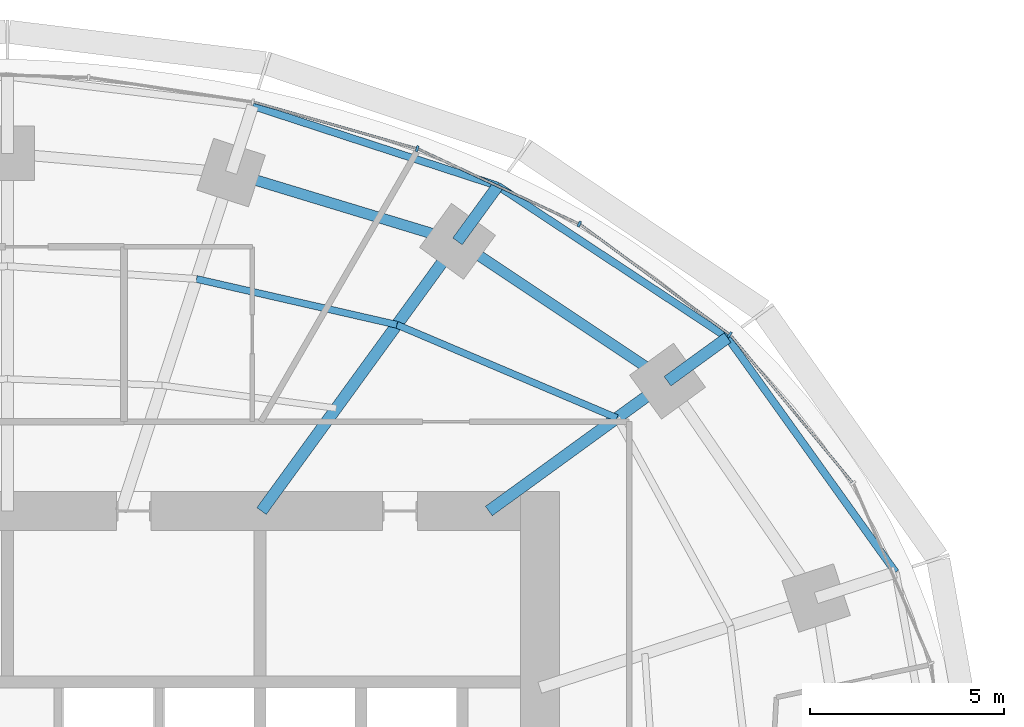
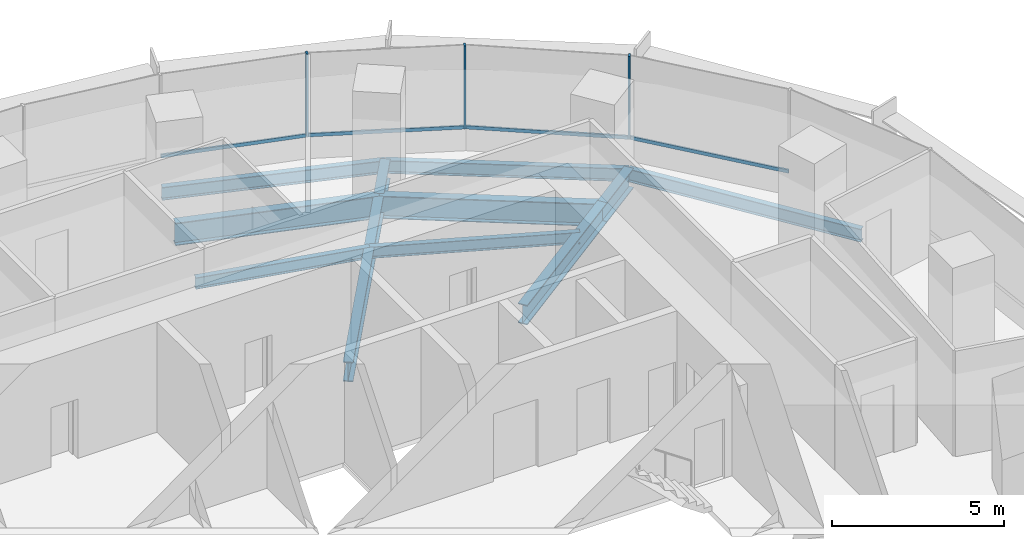
# One storey, part 8 of 14: 11 beams, 7 members, 2 elements without a shape of their own.
"""IFC4 building model written with IfcOpenShell, lengths in metres."""

from ifc_helpers import new_model, si_unit, direction, frame, origin, origin_2d, place, context, subcontext, project, spatial, rectangle, i_section, extrude, material, material_profile, profile_set, type_object, element, aggregate, save


model = new_model("IFC4")

# Units and contexts
model_context = context("Model", 3, precision=1e-05, world=origin(), true_north=direction((0.0, 1.0)))
body_context = subcontext(model_context, "Body", "Model", "MODEL_VIEW")
ifc_project = project(units=[si_unit("LENGTHUNIT", "METRE"), si_unit("AREAUNIT", "SQUARE_METRE"), si_unit("VOLUMEUNIT", "CUBIC_METRE"), si_unit("PLANEANGLEUNIT", "RADIAN"), si_unit("MASSUNIT", "GRAM", prefix="KILO")], contexts=[model_context])

# Site, building, storey
site_placement = place(None, origin())
site = spatial("IfcSite", under=ifc_project, at=site_placement, CompositionType="ELEMENT")
building_placement = place(site_placement, origin())
building = spatial("IfcBuilding", under=site, at=building_placement, Name="Marramba Exchange Tower", CompositionType="ELEMENT")
storey_placement = place(building_placement, frame((0.0, 0.0, 203.300048828125)))
storey = spatial("IfcBuildingStorey", under=building, at=storey_placement, Name="L49", CompositionType="ELEMENT", Elevation=203.300048828125)

# Beams
ifc_material_1 = material(Name="Steel AS/NZS 3679.2 grade 300", Category="steel")
ifc_material_profile_1 = material_profile(ifc_material_1, i_section(OverallWidth=0.300048828125, OverallDepth=0.699951171875, WebThickness=0.010009765625, FlangeThickness=0.031982421875, at=origin_2d()), Name="700WB173")
ifc_profile_set_1 = profile_set([ifc_material_profile_1], Name="Steel AS/NZS 3679.2 grade 300")
beam_type_1 = type_object("IfcBeamType", Name="Cantilever girder 700WB173", PredefinedType="BEAM", material=ifc_profile_set_1)
beam_1_placement = place(storey_placement, frame((16.98583984375, 12.3408203125, -0.510009765625), z_axis=(0.808962750283, 0.587859905636, 0.0), x_axis=(-0.587859905636, 0.808962750283, 0.0)))
element("IfcBeam", 1, at=beam_1_placement, inside=storey, type_object=beam_type_1, Name="Cantilever girder L49 TC03", PredefinedType="BEAM", context=body_context, shape_type="SweptSolid", body=[
    extrude(i_section(OverallWidth=0.300048828125, OverallDepth=0.699951171875, WebThickness=0.010009765625, FlangeThickness=0.031982421875, at=origin_2d()), origin(), (0.0, 0.0, 1.0), 1.9091796875),
])
beam_2_placement = place(storey_placement, frame((11.581298828125, 15.9404296875, -0.510009765625), z_axis=(0.587817766387, 0.808993370504, 0.0), x_axis=(-0.808993370504, 0.587817766387, 0.0)))
element("IfcBeam", 2, at=beam_2_placement, inside=storey, type_object=beam_type_1, Name="Cantilever girder L49 TC04", PredefinedType="BEAM", context=body_context, shape_type="SweptSolid", body=[
    extrude(i_section(OverallWidth=0.300048828125, OverallDepth=0.699951171875, WebThickness=0.010009765625, FlangeThickness=0.031982421875, at=origin_2d()), origin(), (0.0, 0.0, 1.0), 1.763916015625),
])
ifc_material_2 = material(Name="Steel AS/NZS 3679.1 grade 300", Category="steel")
ifc_material_profile_2 = material_profile(ifc_material_2, i_section(OverallWidth=0.177978515625, OverallDepth=0.406005859375, WebThickness=0.0078125, FlangeThickness=0.0126953125, FilletRadius=0.011474609375, at=origin_2d()), Name="410UB59.7")
ifc_profile_set_2 = profile_set([ifc_material_profile_2], Name="Steel AS/NZS 3679.1 grade 300")
beam_type_2 = type_object("IfcBeamType", Name="Floor joist 410UB59.7", PredefinedType="JOIST", material=ifc_profile_set_2)
beam_3_placement = place(storey_placement, frame((15.682373046875, 11.393798828125, -0.363037109375), z_axis=(-0.920674336375, 0.390331610738, 0.0), x_axis=(-0.390331610738, -0.920674336375, 0.0)))
element("IfcBeam", 3, at=beam_3_placement, inside=storey, type_object=beam_type_2, Name="Joist L49 bay 03 row 2", PredefinedType="JOIST", context=body_context, shape_type="SweptSolid", body=[
    extrude(i_section(OverallWidth=0.177978515625, OverallDepth=0.406005859375, WebThickness=0.0078125, FlangeThickness=0.0126953125, FilletRadius=0.011474609375, at=origin_2d()), origin(), (0.0, 0.0, 1.0), 6.1484375),
])
beam_4_placement = place(storey_placement, frame((10.021728515625, 13.793701171875, -0.363037109375), z_axis=(-0.974859652292, 0.222819788916, 0.0), x_axis=(-0.222819788916, -0.974859652292, 0.0)))
element("IfcBeam", 4, at=beam_4_placement, inside=storey, type_object=beam_type_2, Name="Joist L49 bay 04 row 2", PredefinedType="JOIST", context=body_context, shape_type="SweptSolid", body=[
    extrude(i_section(OverallWidth=0.177978515625, OverallDepth=0.406005859375, WebThickness=0.0078125, FlangeThickness=0.0126953125, FilletRadius=0.011474609375, at=origin_2d()), origin(), (0.0, 0.0, 1.0), 5.2900390625),
])

# Curtain wall, members
ifc_material_3 = material(Name="Aluminium framing, bronze anodised", Category="aluminium")
curtain_wall_type = type_object("IfcCurtainWallType", Name="Office ribbon curtain wall", PredefinedType="USERDEFINED", material=ifc_material_3)
curtain_wall_1_placement = place(storey_placement, origin())
curtain_wall_1 = element("IfcCurtainWall", 5, at=curtain_wall_1_placement, inside=storey, type_object=curtain_wall_type, Name="Curtain wall CW4 L49 F01-F05", ObjectType="RIBBON CURTAIN WALL", PredefinedType="USERDEFINED")
ifc_material_4 = material(Name="Aluminium mullion, bronze anodised", Category="aluminium")
ifc_material_profile_3 = material_profile(ifc_material_4, rectangle(XDim=0.159912109375, YDim=0.06005859375, at=origin_2d()), Name="CW4 mullion 60x160")
ifc_profile_set_3 = profile_set([ifc_material_profile_3], Name="Aluminium mullion, bronze anodised")
member_type_1 = type_object("IfcMemberType", Name="Office ribbon curtain wall mullion", PredefinedType="MULLION", material=ifc_profile_set_3)
member_1_placement = place(storey_placement, frame((18.587158203125, 13.53955078125, 0.800048828125), z_axis=(0.0, 0.0, 1.0), x_axis=(-0.593441317494, -0.804877259395, 0.0)))
member_1 = element("IfcMember", 6, at=member_1_placement, type_object=member_type_1, Name="CW4 mullion 1", PredefinedType="MULLION", context=body_context, shape_type="SweptSolid", body=[
    extrude(rectangle(XDim=0.159912109375, YDim=0.06005859375, at=origin_2d()), origin(), (0.0, 0.0, 1.0), 2.93994140625),
])
member_2_placement = place(storey_placement, frame((14.7158203125, 16.386474609375, 0.800048828125), z_axis=(0.0, 0.0, 1.0), x_axis=(-0.422133006189, -0.906533907301, 0.0)))
member_2 = element("IfcMember", 7, at=member_2_placement, type_object=member_type_1, Name="CW4 mullion 1", PredefinedType="MULLION", context=body_context, shape_type="SweptSolid", body=[
    extrude(rectangle(XDim=0.159912109375, YDim=0.06005859375, at=origin_2d()), origin(), (0.0, 0.0, 1.0), 2.93994140625),
])

# Curtain wall, member
curtain_wall_2_placement = place(storey_placement, origin())
curtain_wall_2 = element("IfcCurtainWall", 8, at=curtain_wall_2_placement, inside=storey, type_object=curtain_wall_type, Name="Curtain wall CW4 L49 F06-F10", ObjectType="RIBBON CURTAIN WALL", PredefinedType="USERDEFINED")
member_3_placement = place(storey_placement, frame((10.54541015625, 18.3232421875, 0.800048828125), z_axis=(0.0, 0.0, 1.0), x_axis=(-0.274248164656, -0.961658954195, 0.0)))
member_3 = element("IfcMember", 9, at=member_3_placement, type_object=member_type_1, Name="CW4 mullion 1", PredefinedType="MULLION", context=body_context, shape_type="SweptSolid", body=[
    extrude(rectangle(XDim=0.159912109375, YDim=0.06005859375, at=origin_2d()), origin(), (0.0, 0.0, 1.0), 2.93994140625),
])

# Member
ifc_material_5 = material(Name="Aluminium transom, bronze anodised", Category="aluminium")
ifc_material_profile_4 = material_profile(ifc_material_5, rectangle(XDim=0.06005859375, YDim=0.1201171875, at=origin_2d()), Name="CW4 transom 60x120")
ifc_profile_set_4 = profile_set([ifc_material_profile_4], Name="Aluminium transom, bronze anodised")
member_type_2 = type_object("IfcMemberType", Name="Office ribbon curtain wall transom", PredefinedType="USERDEFINED", material=ifc_profile_set_4)
member_4_placement = place(storey_placement, frame((21.73779296875, 9.74169921875, 0.829833984375), z_axis=(-0.637375191043, 0.770553609973, 0.0), x_axis=(-0.770553609973, -0.637375191043, 0.0)))
member_4 = element("IfcMember", 10, at=member_4_placement, type_object=member_type_2, Name="CW4 sill transom", ObjectType="TRANSOM", PredefinedType="USERDEFINED", context=body_context, shape_type="SweptSolid", body=[
    extrude(rectangle(XDim=0.06005859375, YDim=0.1201171875, at=origin_2d()), origin(), (0.0, 0.0, 1.0), 4.905517578125),
])

member_5_placement = place(storey_placement, frame((18.56298828125, 13.557373046875, 0.829833984375), z_axis=(-0.804874780157, 0.593444680039, 0.0), x_axis=(-0.593444680039, -0.804874780157, 0.0)))
member_5 = element("IfcMember", 11, at=member_5_placement, type_object=member_type_2, Name="CW4 sill transom", ObjectType="TRANSOM", PredefinedType="USERDEFINED", context=body_context, shape_type="SweptSolid", body=[
    extrude(rectangle(XDim=0.06005859375, YDim=0.1201171875, at=origin_2d()), origin(), (0.0, 0.0, 1.0), 4.745849609375),
])

member_6_placement = place(storey_placement, frame((14.688720703125, 16.399169921875, 0.829833984375), z_axis=(-0.906548348139, 0.422101992989, 0.0), x_axis=(-0.422101992989, -0.906548348139, 0.0)))
member_6 = element("IfcMember", 12, at=member_6_placement, type_object=member_type_2, Name="CW4 sill transom", ObjectType="TRANSOM", PredefinedType="USERDEFINED", context=body_context, shape_type="SweptSolid", body=[
    extrude(rectangle(XDim=0.06005859375, YDim=0.1201171875, at=origin_2d()), origin(), (0.0, 0.0, 1.0), 4.53857421875),
])

aggregate(curtain_wall_1, [member_4, member_1, member_5, member_2, member_6])

member_7_placement = place(storey_placement, frame((10.5166015625, 18.33154296875, 0.829833984375), z_axis=(-0.961661807825, 0.274238158125, 0.0), x_axis=(-0.274238158125, -0.961661807825, 0.0)))
member_7 = element("IfcMember", 13, at=member_7_placement, type_object=member_type_2, Name="CW4 sill transom", ObjectType="TRANSOM", PredefinedType="USERDEFINED", context=body_context, shape_type="SweptSolid", body=[
    extrude(rectangle(XDim=0.06005859375, YDim=0.1201171875, at=origin_2d()), origin(), (0.0, 0.0, 1.0), 4.340087890625),
])

aggregate(curtain_wall_2, [member_3, member_7])

# Beams
ifc_material_profile_5 = material_profile(ifc_material_1, i_section(OverallWidth=0.300048828125, OverallDepth=0.699951171875, WebThickness=0.010009765625, FlangeThickness=0.031982421875, at=origin_2d()), Name="700WB173")
ifc_profile_set_5 = profile_set([ifc_material_profile_5], Name="Steel AS/NZS 3679.2 grade 300")
beam_type_3 = type_object("IfcBeamType", Name="Radial girder 700WB173", PredefinedType="BEAM", material=ifc_profile_set_5)
beam_5_placement = place(storey_placement, frame((12.387451171875, 9.0, -0.510009765625), z_axis=(0.809025746925, 0.587773205252, 0.0), x_axis=(-0.587773205252, 0.809025746925, 0.0)))
element("IfcBeam", 14, at=beam_5_placement, inside=storey, type_object=beam_type_3, Name="Radial girder L49 TC03", PredefinedType="BEAM", context=body_context, shape_type="SweptSolid", body=[
    extrude(i_section(OverallWidth=0.300048828125, OverallDepth=0.699951171875, WebThickness=0.010009765625, FlangeThickness=0.031982421875, at=origin_2d()), origin(), (0.0, 0.0, 1.0), 5.683837890625),
])
beam_6_placement = place(storey_placement, frame((6.538818359375, 9.0, -0.510009765625), z_axis=(0.587782439969, 0.80901903764, 0.0), x_axis=(-0.80901903764, 0.587782439969, 0.0)))
element("IfcBeam", 15, at=beam_6_placement, inside=storey, type_object=beam_type_3, Name="Radial girder L49 TC04", PredefinedType="BEAM", context=body_context, shape_type="SweptSolid", body=[
    extrude(i_section(OverallWidth=0.300048828125, OverallDepth=0.699951171875, WebThickness=0.010009765625, FlangeThickness=0.031982421875, at=origin_2d()), origin(), (0.0, 0.0, 1.0), 8.578857421875),
])
ifc_material_profile_6 = material_profile(ifc_material_1, i_section(OverallWidth=0.27490234375, OverallDepth=0.800048828125, WebThickness=0.010009765625, FlangeThickness=0.02490234375, at=origin_2d()), Name="800WB168")
ifc_profile_set_6 = profile_set([ifc_material_profile_6], Name="Steel AS/NZS 3679.2 grade 300")
beam_type_4 = type_object("IfcBeamType", Name="Ring beam 800WB168", PredefinedType="SPANDREL", material=ifc_profile_set_6)
beam_7_placement = place(storey_placement, frame((16.98583984375, 12.3408203125, -0.56005859375), z_axis=(-0.832293151443, 0.554335737673, 0.0), x_axis=(-0.554335737673, -0.832293151443, 0.0)))
element("IfcBeam", 16, at=beam_7_placement, inside=storey, type_object=beam_type_4, Name="Ring beam L49 TC03-TC04", PredefinedType="SPANDREL", context=body_context, shape_type="SweptSolid", body=[
    extrude(i_section(OverallWidth=0.27490234375, OverallDepth=0.800048828125, WebThickness=0.010009765625, FlangeThickness=0.02490234375, at=origin_2d()), origin(), (0.0, 0.0, 1.0), 6.49365234375),
])
beam_8_placement = place(storey_placement, frame((11.581298828125, 15.9404296875, -0.56005859375), z_axis=(-0.956924542524, 0.290336735387, 0.0), x_axis=(-0.290336735387, -0.956924542524, 0.0)))
element("IfcBeam", 17, at=beam_8_placement, inside=storey, type_object=beam_type_4, Name="Ring beam L49 TC04-TC05", PredefinedType="SPANDREL", context=body_context, shape_type="SweptSolid", body=[
    extrude(i_section(OverallWidth=0.27490234375, OverallDepth=0.800048828125, WebThickness=0.010009765625, FlangeThickness=0.02490234375, at=origin_2d()), origin(), (0.0, 0.0, 1.0), 6.089599609375),
])
ifc_material_profile_7 = material_profile(ifc_material_2, i_section(OverallWidth=0.19091796875, OverallDepth=0.4599609375, WebThickness=0.010009765625, FlangeThickness=0.01611328125, FilletRadius=0.011474609375, at=origin_2d()), Name="460UB82.1")
ifc_profile_set_7 = profile_set([ifc_material_profile_7], Name="Steel AS/NZS 3679.1 grade 300")
beam_type_5 = type_object("IfcBeamType", Name="Slab edge beam 460UB82.1", PredefinedType="SPANDREL", material=ifc_profile_set_7)
beam_9_placement = place(storey_placement, frame((22.853515625, 7.425537109375, -0.39013671875), z_axis=(-0.582189457885, 0.813053156398, 0.0), x_axis=(-0.813053156398, -0.582189457885, 0.0)))
element("IfcBeam", 18, at=beam_9_placement, inside=storey, type_object=beam_type_5, Name="Slab edge beam L49 TC02-TC03", PredefinedType="SPANDREL", context=body_context, shape_type="SweptSolid", body=[
    extrude(i_section(OverallWidth=0.19091796875, OverallDepth=0.4599609375, WebThickness=0.010009765625, FlangeThickness=0.01611328125, FilletRadius=0.011474609375, at=origin_2d()), origin(), (0.0, 0.0, 1.0), 7.42578125),
])
beam_10_placement = place(storey_placement, frame((18.5302734375, 13.463134765625, -0.39013671875), z_axis=(-0.834459826117, 0.551068778463, 0.0), x_axis=(-0.551068778463, -0.834459826117, 0.0)))
element("IfcBeam", 19, at=beam_10_placement, inside=storey, type_object=beam_type_5, Name="Slab edge beam L49 TC03-TC04", PredefinedType="SPANDREL", context=body_context, shape_type="SweptSolid", body=[
    extrude(i_section(OverallWidth=0.19091796875, OverallDepth=0.4599609375, WebThickness=0.010009765625, FlangeThickness=0.01611328125, FilletRadius=0.011474609375, at=origin_2d()), origin(), (0.0, 0.0, 1.0), 7.0849609375),
])
beam_11_placement = place(storey_placement, frame((12.6181640625, 17.367431640625, -0.39013671875), z_axis=(-0.950608559101, 0.310392279809, 0.0), x_axis=(-0.310392279809, -0.950608559101, 0.0)))
element("IfcBeam", 20, at=beam_11_placement, inside=storey, type_object=beam_type_5, Name="Slab edge beam L49 TC04-TC05", PredefinedType="SPANDREL", context=body_context, shape_type="SweptSolid", body=[
    extrude(i_section(OverallWidth=0.19091796875, OverallDepth=0.4599609375, WebThickness=0.010009765625, FlangeThickness=0.01611328125, FilletRadius=0.011474609375, at=origin_2d()), origin(), (0.0, 0.0, 1.0), 6.6337890625),
])

save(model, "model.ifc")
